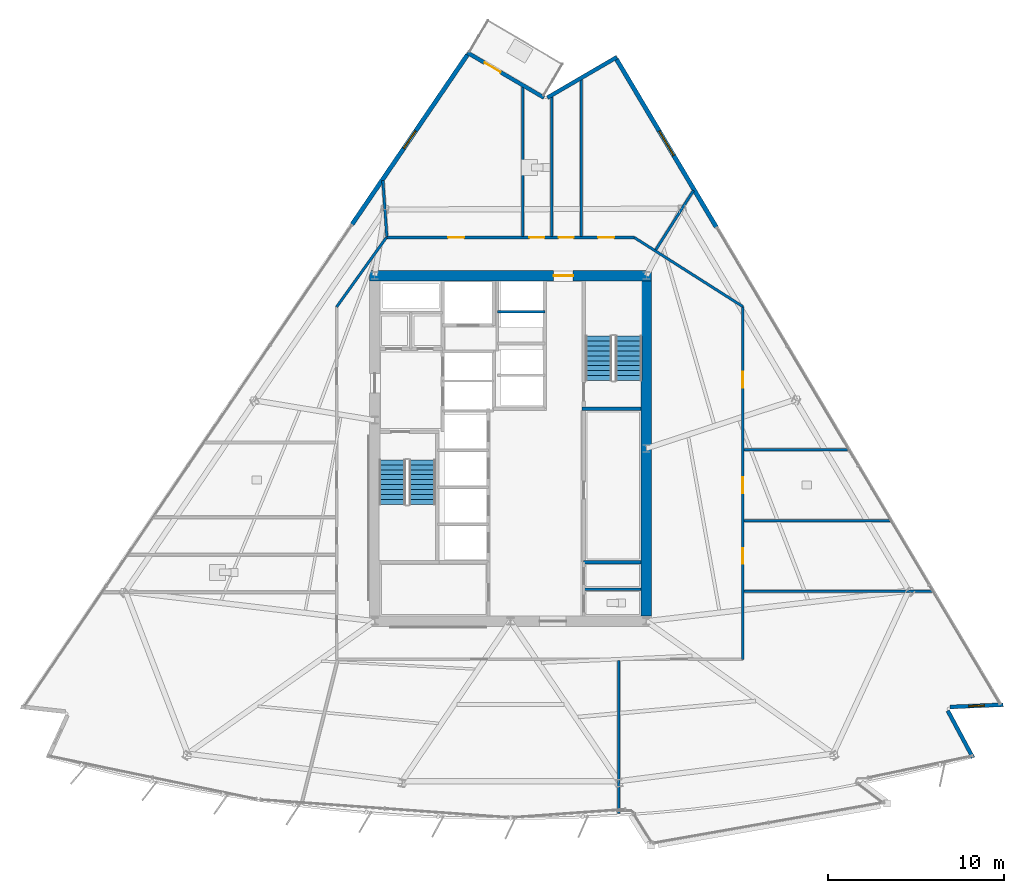
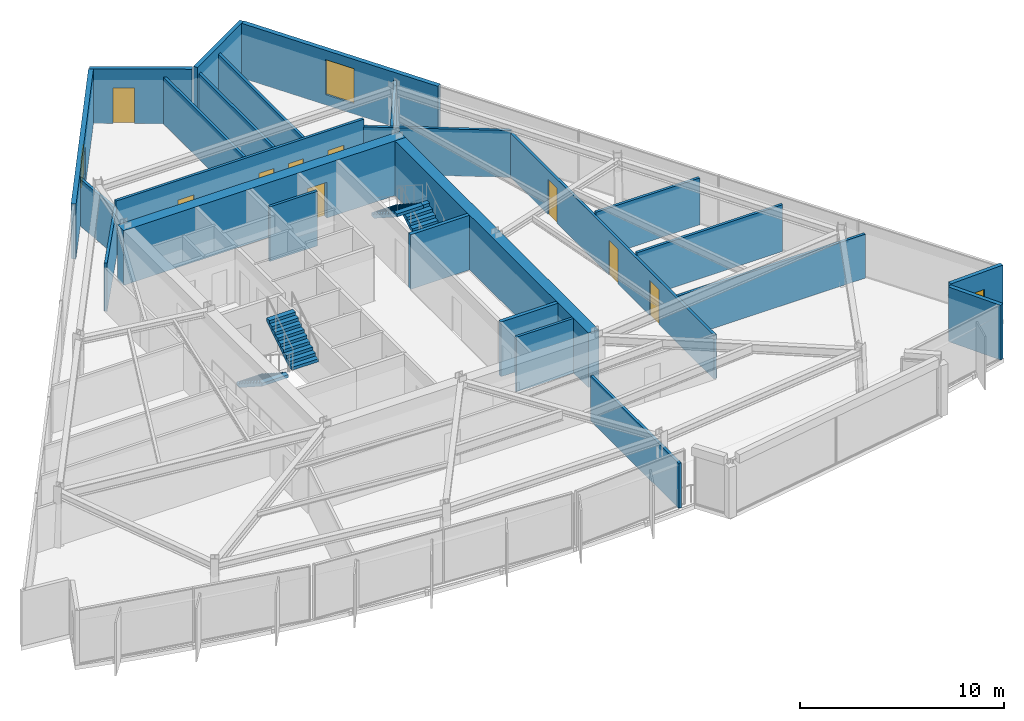
# One storey, part 9 of 15: 25 walls, 9 doors, 4 stair flights, 3 windows, 12 openings, 2 elements without a shape of their own.
"""IFC4 building model written with IfcOpenShell, lengths in metres."""

from ifc_helpers import new_model, si_unit, direction, frame, frame_2d, origin, place, context, subcontext, project, spatial, polyline, rectangle, outline, extrude, material, layer, layer_set, type_object, element, fill, aggregate, save


model = new_model("IFC4")

# Units and contexts
model_context = context("Model", 3, precision=1e-05, world=origin(), true_north=direction((0.0, 1.0)))
body_context = subcontext(model_context, "Body", "Model", "MODEL_VIEW")
ifc_project = project(units=[si_unit("LENGTHUNIT", "METRE"), si_unit("AREAUNIT", "SQUARE_METRE"), si_unit("VOLUMEUNIT", "CUBIC_METRE"), si_unit("PLANEANGLEUNIT", "RADIAN"), si_unit("MASSUNIT", "GRAM", prefix="KILO")], contexts=[model_context])

# Site, building, storey
site_placement = place(None, origin())
site = spatial("IfcSite", under=ifc_project, at=site_placement, CompositionType="ELEMENT")
building_placement = place(site_placement, origin())
building = spatial("IfcBuilding", under=site, at=building_placement, Name="Savorim Split Tower", CompositionType="ELEMENT")
storey_placement = place(building_placement, frame((0.0, 0.0, 125.699951171875)))
storey = spatial("IfcBuildingStorey", under=building, at=storey_placement, Name="L33", CompositionType="ELEMENT", Elevation=125.699951171875)

# Wall, opening, door
ifc_material_1 = material(Name="Concrete C60/75", Category="concrete")
ifc_layer_1 = layer(ifc_material_1, 0.60009765625)
ifc_layer_set_1 = layer_set([ifc_layer_1], Name="WAL-COR-SH600")
wall_type_1 = type_object("IfcWallType", Name="WAL-COR-SH600", PredefinedType="SHEAR", material=ifc_layer_set_1)
wall_1_placement = place(storey_placement, frame((8.0, 10.199951171875, 0.0), z_axis=(0.0, 0.0, 1.0), x_axis=(-1.0, 0.0, 0.0)))
wall_1 = element("IfcWall", 1, at=wall_1_placement, inside=storey, type_object=wall_type_1, Name="L33 Offset Core North Shear Wall", PredefinedType="SHEAR", context=body_context, shape_type="SweptSolid", body=[
    extrude(rectangle(XDim=16.0, YDim=0.60009765625, at=frame_2d((8.0, 0.0))), origin(), (0.0, 0.0, 1.0), 3.280029296875),
])
opening_1_placement = place(wall_1_placement, frame((4.449951171875, 0.0, 0.0)))
opening_1 = element("IfcOpeningElement", 2, at=opening_1_placement, cuts=wall_1, Name="Opening DI-03", PredefinedType="OPENING", context=body_context, shape_type="SweptSolid", body=[
    extrude(rectangle(XDim=1.10009765625, YDim=2.14990234375, at=frame_2d((0.550048828125, 1.074951171875))), frame((0.0, 0.31005859375, 0.0), z_axis=(0.0, -1.0, 0.0), x_axis=(1.0, 0.0, 0.0)), (0.0, 0.0, 1.0), 0.6201171875),
])
ifc_material_2 = material(Name="Timber Fire Door Leaf", Category="wood")
door_type_1 = type_object("IfcDoorType", Name="DOR-FIR-1100", OperationType="NOTDEFINED", PredefinedType="DOOR", material=ifc_material_2)
door_1_placement = place(opening_1_placement, origin())
door_1 = element("IfcDoor", 3, at=door_1_placement, inside=storey, type_object=door_type_1, Name="DOR-L33-COR-NLOB - L33 North Corridor Lobby Fire Door", OperationType="SINGLE_SWING_RIGHT", OverallHeight=2.14990234375, OverallWidth=1.10009765625, PredefinedType="DOOR", context=body_context, shape_type="SweptSolid", body=[
    extrude(rectangle(XDim=1.10009765625, YDim=2.14990234375, at=frame_2d((0.550048828125, 1.074951171875))), frame((0.0, 0.02490234375, 0.0), z_axis=(0.0, -1.0, 0.0), x_axis=(1.0, 0.0, 0.0)), (0.0, 0.0, 1.0), 0.050048828125),
])
fill(opening_1, door_1)

# Walls
wall_2_placement = place(storey_placement, frame((7.699951171875, 9.89990234375, 0.0), z_axis=(0.0, 0.0, 1.0), x_axis=(0.0, -1.0, 0.0)))
element("IfcWall", 4, at=wall_2_placement, inside=storey, type_object=wall_type_1, Name="L33 Offset Core East Shear Wall", PredefinedType="SHEAR", context=body_context, shape_type="SweptSolid", body=[
    extrude(rectangle(XDim=19.0, YDim=0.60009765625, at=frame_2d((9.5, 0.0))), origin(), (0.0, 0.0, 1.0), 3.280029296875),
])
ifc_material_3 = material(Name="Precast concrete C40/50", Category="concrete")
ifc_layer_2 = layer(ifc_material_3, 0.219970703125)
ifc_layer_set_2 = layer_set([ifc_layer_2], Name="WAL-EXT-CRN220")
wall_type_2 = type_object("IfcWallType", Name="WAL-EXT-CRN220", PredefinedType="SOLIDWALL", material=ifc_layer_set_2)
wall_3_placement = place(storey_placement, frame((24.79833984375, -14.477294921875, 0.0), z_axis=(0.0, 0.0, 1.0), x_axis=(0.472820757697, -0.881158629925, 0.0)))
element("IfcWall", 5, at=wall_3_placement, inside=storey, type_object=wall_type_2, Name="L33 Notched Corner Facade Wall SE1", PredefinedType="SOLIDWALL", context=body_context, shape_type="SweptSolid", body=[
    extrude(rectangle(XDim=3.02880859375, YDim=0.219970703125, at=frame_2d((1.514404296875, 0.0))), origin(), (0.0, 0.0, 1.0), 3.280029296875),
])

# Wall, opening, window
wall_4_placement = place(storey_placement, frame((27.943359375, -14.135009765625, 0.0), z_axis=(0.0, 0.0, 1.0), x_axis=(-0.999095621918, -0.042519857284, 0.0)))
wall_4 = element("IfcWall", 6, at=wall_4_placement, inside=storey, type_object=wall_type_2, Name="L33 Notched Corner Facade Wall SE", PredefinedType="SOLIDWALL", context=body_context, shape_type="SweptSolid", body=[
    extrude(rectangle(XDim=3.02587890625, YDim=0.219970703125, at=frame_2d((1.512939453125, 0.0))), origin(), (0.0, 0.0, 1.0), 3.280029296875),
])
opening_2_placement = place(wall_4_placement, frame((1.06298828125, 0.0, 0.6201171875)))
opening_2 = element("IfcOpeningElement", 7, at=opening_2_placement, cuts=wall_4, Name="Opening WN-10", PredefinedType="OPENING", context=body_context, shape_type="SweptSolid", body=[
    extrude(rectangle(XDim=0.89990234375, YDim=1.60009765625, at=frame_2d((0.449951171875, 0.800048828125))), frame((0.0, 0.119873046875, 0.0), z_axis=(0.0, -1.0, 0.0), x_axis=(1.0, 0.0, 0.0)), (0.0, 0.0, 1.0), 0.239990234375),
])
ifc_material_4 = material(Name="Low-E Operable Double Glazing", Category="glass")
window_type_1 = type_object("IfcWindowType", Name="WIN-TWR-900x1600", PartitioningType="SINGLE_PANEL", PredefinedType="WINDOW", material=ifc_material_4)
window_1_placement = place(opening_2_placement, origin())
window_1 = element("IfcWindow", 8, at=window_1_placement, inside=storey, type_object=window_type_1, Name="L33 Operable Corner Window SE", OverallHeight=1.60009765625, OverallWidth=0.89990234375, PartitioningType="SINGLE_PANEL", PredefinedType="WINDOW", context=body_context, shape_type="SweptSolid", body=[
    extrude(rectangle(XDim=0.89990234375, YDim=1.60009765625, at=frame_2d((0.449951171875, 0.800048828125))), frame((0.0, 0.030029296875, 0.0), z_axis=(0.0, -1.0, 0.0), x_axis=(1.0, 0.0, 0.0)), (0.0, 0.0, 1.0), 0.06005859375),
])
fill(opening_2, window_1)

# Wall
wall_5_placement = place(storey_placement, frame((2.090087890625, 20.290771484375, 0.0), z_axis=(0.0, 0.0, 1.0), x_axis=(0.863978647835, 0.503528446153, 0.0)))
element("IfcWall", 9, at=wall_5_placement, inside=storey, type_object=wall_type_2, Name="L33 Notched Corner Facade Wall NE1", PredefinedType="SOLIDWALL", context=body_context, shape_type="SweptSolid", body=[
    extrude(rectangle(XDim=4.564453125, YDim=0.219970703125, at=frame_2d((2.2822265625, 0.0))), origin(), (0.0, 0.0, 1.0), 3.280029296875),
])

# Wall, opening, door
wall_6_placement = place(storey_placement, frame((-2.447021484375, 22.845703125, 0.0), z_axis=(0.0, 0.0, 1.0), x_axis=(0.8621357974, -0.506677280763, 0.0)))
wall_6 = element("IfcWall", 10, at=wall_6_placement, inside=storey, type_object=wall_type_2, Name="L33 Notched Corner Facade Wall N", PredefinedType="SOLIDWALL", context=body_context, shape_type="SweptSolid", body=[
    extrude(rectangle(XDim=5.0419921875, YDim=0.219970703125, at=frame_2d((2.52099609375, 0.0))), origin(), (0.0, 0.0, 1.0), 3.280029296875),
])
opening_3_placement = place(wall_6_placement, frame((1.14599609375, 0.0, 0.0)))
opening_3 = element("IfcOpeningElement", 11, at=opening_3_placement, cuts=wall_6, Name="Opening DB-01", PredefinedType="OPENING", context=body_context, shape_type="SweptSolid", body=[
    extrude(rectangle(XDim=1.050048828125, YDim=2.14990234375, at=frame_2d((0.52490234375, 1.074951171875))), frame((0.0, 0.119873046875, 0.0), z_axis=(0.0, -1.0, 0.0), x_axis=(1.0, 0.0, 0.0)), (0.0, 0.0, 1.0), 0.239990234375),
])
ifc_material_5 = material(Name="Charcoal Anodised Aluminium", Category="aluminium")
door_type_2 = type_object("IfcDoorType", Name="DOR-BAL-1050", OperationType="NOTDEFINED", PredefinedType="DOOR", material=ifc_material_5)
door_2_placement = place(opening_3_placement, origin())
door_2 = element("IfcDoor", 12, at=door_2_placement, inside=storey, type_object=door_type_2, Name="DOR-L33-TBAL-N - L33 Planted Tree Balcony Door N", OperationType="SINGLE_SWING_RIGHT", OverallHeight=2.14990234375, OverallWidth=1.050048828125, PredefinedType="DOOR", context=body_context, shape_type="SweptSolid", body=[
    extrude(rectangle(XDim=1.050048828125, YDim=2.14990234375, at=frame_2d((0.52490234375, 1.074951171875))), frame((0.0, 0.02490234375, 0.0), z_axis=(0.0, -1.0, 0.0), x_axis=(1.0, 0.0, 0.0)), (0.0, 0.0, 1.0), 0.050048828125),
])
fill(opening_3, door_2)

# Wall, opening, window
ifc_layer_3 = layer(ifc_material_3, 0.25)
ifc_layer_set_3 = layer_set([ifc_layer_3], Name="WAL-EXT-SPN250")
wall_type_3 = type_object("IfcWallType", Name="WAL-EXT-SPN250", PredefinedType="SOLIDWALL", material=ifc_layer_set_3)
wall_7_placement = place(storey_placement, frame((6.01708984375, 22.46240234375, 0.0), z_axis=(0.0, 0.0, 1.0), x_axis=(0.511085523564, -0.859529864288, 0.0)))
wall_7 = element("IfcWall", 13, at=wall_7_placement, inside=storey, type_object=wall_type_3, Name="L33 East Operable Window Pier", PredefinedType="SOLIDWALL", context=body_context, shape_type="SweptSolid", body=[
    extrude(rectangle(XDim=11.067626953125, YDim=0.25, at=frame_2d((5.53369140625, 0.0))), origin(), (0.0, 0.0, 1.0), 3.280029296875),
])
opening_4_placement = place(wall_7_placement, frame((4.73388671875, 0.0, 0.6201171875)))
opening_4 = element("IfcOpeningElement", 14, at=opening_4_placement, cuts=wall_7, Name="Opening WN-05", PredefinedType="OPENING", context=body_context, shape_type="SweptSolid", body=[
    extrude(rectangle(XDim=1.60009765625, YDim=2.10009765625, at=frame_2d((0.800048828125, 1.050048828125))), frame((0.0, 0.135009765625, 0.0), z_axis=(0.0, -1.0, 0.0), x_axis=(1.0, 0.0, 0.0)), (0.0, 0.0, 1.0), 0.27001953125),
])
window_type_2 = type_object("IfcWindowType", Name="WIN-TWR-1600x2100", PartitioningType="DOUBLE_PANEL_VERTICAL", PredefinedType="WINDOW", material=ifc_material_4)
window_2_placement = place(opening_4_placement, origin())
window_2 = element("IfcWindow", 15, at=window_2_placement, inside=storey, type_object=window_type_2, Name="L33 East Operable Ventilation Window", OverallHeight=2.10009765625, OverallWidth=1.60009765625, PartitioningType="SINGLE_PANEL", PredefinedType="WINDOW", context=body_context, shape_type="SweptSolid", body=[
    extrude(rectangle(XDim=1.60009765625, YDim=2.10009765625, at=frame_2d((0.800048828125, 1.050048828125))), frame((0.0, 0.030029296875, 0.0), z_axis=(0.0, -1.0, 0.0), x_axis=(1.0, 0.0, 0.0)), (0.0, 0.0, 1.0), 0.06005859375),
])
fill(opening_4, window_2)

wall_8_placement = place(storey_placement, frame((-8.98388671875, 13.1083984375, 0.0), z_axis=(0.0, 0.0, 1.0), x_axis=(0.562459365703, 0.826824928225, 0.0)))
wall_8 = element("IfcWall", 16, at=wall_8_placement, inside=storey, type_object=wall_type_3, Name="L33 West Operable Window Pier", PredefinedType="SOLIDWALL", context=body_context, shape_type="SweptSolid", body=[
    extrude(rectangle(XDim=11.625, YDim=0.25, at=frame_2d((5.8125, 0.0))), origin(), (0.0, 0.0, 1.0), 3.280029296875),
])
opening_5_placement = place(wall_8_placement, frame((5.21240234375, 0.0, 0.6201171875)))
opening_5 = element("IfcOpeningElement", 17, at=opening_5_placement, cuts=wall_8, Name="Opening WN-08", PredefinedType="OPENING", context=body_context, shape_type="SweptSolid", body=[
    extrude(rectangle(XDim=1.199951171875, YDim=1.800048828125, at=frame_2d((0.60009765625, 0.89990234375))), frame((0.0, 0.135009765625, 0.0), z_axis=(0.0, -1.0, 0.0), x_axis=(1.0, 0.0, 0.0)), (0.0, 0.0, 1.0), 0.27001953125),
])
window_type_3 = type_object("IfcWindowType", Name="WIN-TWR-1200x1800", PartitioningType="SINGLE_PANEL", PredefinedType="WINDOW", material=ifc_material_4)
window_3_placement = place(opening_5_placement, origin())
window_3 = element("IfcWindow", 18, at=window_3_placement, inside=storey, type_object=window_type_3, Name="L33 West Operable Ventilation Window", OverallHeight=1.800048828125, OverallWidth=1.199951171875, PartitioningType="SINGLE_PANEL", PredefinedType="WINDOW", context=body_context, shape_type="SweptSolid", body=[
    extrude(rectangle(XDim=1.199951171875, YDim=1.800048828125, at=frame_2d((0.60009765625, 0.89990234375))), frame((0.0, 0.030029296875, 0.0), z_axis=(0.0, -1.0, 0.0), x_axis=(1.0, 0.0, 0.0)), (0.0, 0.0, 1.0), 0.06005859375),
])
fill(opening_5, window_3)

# Walls
ifc_material_6 = material(Name="Concrete C50/60", Category="concrete")
ifc_layer_4 = layer(ifc_material_6, 0.199951171875)
ifc_layer_set_4 = layer_set([ifc_layer_4], Name="WAL-INT-RC200")
wall_type_4 = type_object("IfcWallType", Name="WAL-INT-RC200", PredefinedType="SOLIDWALL", material=ifc_layer_set_4)
wall_9_placement = place(storey_placement, frame((4.050048828125, 2.64990234375, 0.0), z_axis=(0.0, 0.0, 1.0), x_axis=(1.0, 0.0, 0.0)))
element("IfcWall", 19, at=wall_9_placement, inside=storey, type_object=wall_type_4, Name="L33 Structural Shaft Wall W-L33-CR08", PredefinedType="SOLIDWALL", context=body_context, shape_type="SweptSolid", body=[
    extrude(rectangle(XDim=3.349853515625, YDim=0.199951171875, at=frame_2d((1.6748046875, 0.0))), origin(), (0.0, 0.0, 1.0), 3.280029296875),
])
wall_10_placement = place(storey_placement, frame((4.14990234375, -6.050048828125, 0.0), z_axis=(0.0, 0.0, 1.0), x_axis=(1.0, 0.0, 0.0)))
element("IfcWall", 20, at=wall_10_placement, inside=storey, type_object=wall_type_4, Name="L33 Partition W-L33-KSEP-E", PredefinedType="SOLIDWALL", context=body_context, shape_type="SweptSolid", body=[
    extrude(rectangle(XDim=3.2451171875, YDim=0.199951171875, at=frame_2d((1.62255859375, 0.0))), origin(), (0.0, 0.0, 1.0), 3.280029296875),
])
ifc_material_7 = material(Name="Acoustic Gypsum Partition Board")
ifc_layer_5 = layer(ifc_material_7, 0.14990234375)
ifc_layer_set_5 = layer_set([ifc_layer_5], Name="WAL-PAR-150")
wall_type_5 = type_object("IfcWallType", Name="WAL-PAR-150", PredefinedType="PARTITIONING", material=ifc_layer_set_5)
wall_11_placement = place(storey_placement, frame((-0.75, 8.14990234375, 0.0), z_axis=(0.0, 0.0, 1.0), x_axis=(1.0, 0.0, 0.0)))
element("IfcWall", 21, at=wall_11_placement, inside=storey, type_object=wall_type_5, Name="L33 Partition W-L33-B3DIV3", PredefinedType="PARTITIONING", context=body_context, shape_type="SweptSolid", body=[
    extrude(rectangle(XDim=2.699951171875, YDim=0.14990234375, at=frame_2d((1.35009765625, 0.0))), origin(), (0.0, 0.0, 1.0), 3.280029296875),
])
wall_12_placement = place(storey_placement, frame((4.14990234375, -7.580078125, 0.0), z_axis=(0.0, 0.0, 1.0), x_axis=(1.0, 0.0, 0.0)))
element("IfcWall", 22, at=wall_12_placement, inside=storey, type_object=wall_type_5, Name="L33 Partition W-L33-K3H", PredefinedType="PARTITIONING", context=body_context, shape_type="SweptSolid", body=[
    extrude(rectangle(XDim=3.2451171875, YDim=0.14990234375, at=frame_2d((1.62255859375, 0.0))), origin(), (0.0, 0.0, 1.0), 3.280029296875),
])
wall_13_placement = place(storey_placement, frame((-9.860107421875, 8.42578125, 0.0), z_axis=(0.0, 0.0, 1.0), x_axis=(0.582449511476, 0.812866881218, 0.0)))
element("IfcWall", 23, at=wall_13_placement, inside=storey, type_object=wall_type_5, Name="L33 Partition W-L33-COR-02", PredefinedType="PARTITIONING", context=body_context, shape_type="SweptSolid", body=[
    extrude(rectangle(XDim=4.840087890625, YDim=0.14990234375, at=frame_2d((2.419921875, 0.0))), origin(), (0.0, 0.0, 1.0), 2.89501953125),
])

# Wall, openings, doors
wall_14_placement = place(storey_placement, frame((-7.041015625, 12.360107421875, 0.0), z_axis=(0.0, 0.0, 1.0), x_axis=(1.0, 0.0, 0.0)))
wall_14 = element("IfcWall", 24, at=wall_14_placement, inside=storey, type_object=wall_type_5, Name="L33 Partition W-L33-COR-03", PredefinedType="PARTITIONING", context=body_context, shape_type="SweptSolid", body=[
    extrude(rectangle(XDim=14.064208984375, YDim=0.14990234375, at=frame_2d((7.0322265625, 0.0))), origin(), (0.0, 0.0, 1.0), 3.280029296875),
])
opening_6_placement = place(wall_14_placement, frame((12.015625, 0.0, 0.0)))
opening_6 = element("IfcOpeningElement", 25, at=opening_6_placement, cuts=wall_14, Name="Opening DI-06", PredefinedType="OPENING", context=body_context, shape_type="SweptSolid", body=[
    extrude(rectangle(XDim=0.89990234375, YDim=2.10009765625, at=frame_2d((0.449951171875, 1.050048828125))), frame((0.0, 0.0849609375, 0.0), z_axis=(0.0, -1.0, 0.0), x_axis=(1.0, 0.0, 0.0)), (0.0, 0.0, 1.0), 0.169921875),
])
opening_7_placement = place(wall_14_placement, frame((9.767333984375, 0.0, 0.0)))
opening_7 = element("IfcOpeningElement", 26, at=opening_7_placement, cuts=wall_14, Name="Opening DI-13", PredefinedType="OPENING", context=body_context, shape_type="SweptSolid", body=[
    extrude(rectangle(XDim=0.85009765625, YDim=2.10009765625, at=frame_2d((0.425048828125, 1.050048828125))), frame((0.0, 0.0849609375, 0.0), z_axis=(0.0, -1.0, 0.0), x_axis=(1.0, 0.0, 0.0)), (0.0, 0.0, 1.0), 0.169921875),
])
opening_8_placement = place(wall_14_placement, frame((8.112060546875, 0.0, 0.0)))
opening_8 = element("IfcOpeningElement", 27, at=opening_8_placement, cuts=wall_14, Name="Opening DI-13", PredefinedType="OPENING", context=body_context, shape_type="SweptSolid", body=[
    extrude(rectangle(XDim=0.85009765625, YDim=2.10009765625, at=frame_2d((0.425048828125, 1.050048828125))), frame((0.0, 0.0849609375, 0.0), z_axis=(0.0, -1.0, 0.0), x_axis=(1.0, 0.0, 0.0)), (0.0, 0.0, 1.0), 0.169921875),
])
opening_9_placement = place(wall_14_placement, frame((3.50634765625, 0.0, 0.0)))
opening_9 = element("IfcOpeningElement", 28, at=opening_9_placement, cuts=wall_14, Name="Opening DI-06", PredefinedType="OPENING", context=body_context, shape_type="SweptSolid", body=[
    extrude(rectangle(XDim=0.89990234375, YDim=2.10009765625, at=frame_2d((0.449951171875, 1.050048828125))), frame((0.0, 0.0849609375, 0.0), z_axis=(0.0, -1.0, 0.0), x_axis=(1.0, 0.0, 0.0)), (0.0, 0.0, 1.0), 0.169921875),
])
door_type_3 = type_object("IfcDoorType", Name="DOR-FIR-850", OperationType="NOTDEFINED", PredefinedType="DOOR", material=ifc_material_2)
door_3_placement = place(opening_7_placement, origin())
door_3 = element("IfcDoor", 29, at=door_3_placement, inside=storey, type_object=door_type_3, Name="DR-L33-RM11 - L33 Quiet Study Room Entry Door", OperationType="SINGLE_SWING_RIGHT", OverallHeight=2.10009765625, OverallWidth=0.85009765625, PredefinedType="DOOR", context=body_context, shape_type="SweptSolid", body=[
    extrude(rectangle(XDim=0.85009765625, YDim=2.10009765625, at=frame_2d((0.425048828125, 1.050048828125))), frame((0.0, 0.02490234375, 0.0), z_axis=(0.0, -1.0, 0.0), x_axis=(1.0, 0.0, 0.0)), (0.0, 0.0, 1.0), 0.050048828125),
])
fill(opening_7, door_3)
door_4_placement = place(opening_8_placement, origin())
door_4 = element("IfcDoor", 30, at=door_4_placement, inside=storey, type_object=door_type_3, Name="DR-L33-RM12 - L33 Shared Bathroom Entry Door", OperationType="SINGLE_SWING_LEFT", OverallHeight=2.10009765625, OverallWidth=0.85009765625, PredefinedType="DOOR", context=body_context, shape_type="SweptSolid", body=[
    extrude(rectangle(XDim=0.85009765625, YDim=2.10009765625, at=frame_2d((0.425048828125, 1.050048828125))), frame((0.0, 0.02490234375, 0.0), z_axis=(0.0, -1.0, 0.0), x_axis=(1.0, 0.0, 0.0)), (0.0, 0.0, 1.0), 0.050048828125),
])
fill(opening_8, door_4)
door_type_4 = type_object("IfcDoorType", Name="DOR-FIR-900", OperationType="NOTDEFINED", PredefinedType="DOOR", material=ifc_material_2)
door_5_placement = place(opening_6_placement, origin())
door_5 = element("IfcDoor", 31, at=door_5_placement, inside=storey, type_object=door_type_4, Name="DR-L33-RM10 - L33 Maker Workshop Entry Door", OperationType="SINGLE_SWING_LEFT", OverallHeight=2.10009765625, OverallWidth=0.89990234375, PredefinedType="DOOR", context=body_context, shape_type="SweptSolid", body=[
    extrude(rectangle(XDim=0.89990234375, YDim=2.10009765625, at=frame_2d((0.449951171875, 1.050048828125))), frame((0.0, 0.02490234375, 0.0), z_axis=(0.0, -1.0, 0.0), x_axis=(1.0, 0.0, 0.0)), (0.0, 0.0, 1.0), 0.050048828125),
])
fill(opening_6, door_5)
door_6_placement = place(opening_9_placement, origin())
door_6 = element("IfcDoor", 32, at=door_6_placement, inside=storey, type_object=door_type_4, Name="DR-L33-RM13 - L33 Co-Working Commons Entry Door", OperationType="SINGLE_SWING_RIGHT", OverallHeight=2.10009765625, OverallWidth=0.89990234375, PredefinedType="DOOR", context=body_context, shape_type="SweptSolid", body=[
    extrude(rectangle(XDim=0.89990234375, YDim=2.10009765625, at=frame_2d((0.449951171875, 1.050048828125))), frame((0.0, 0.02490234375, 0.0), z_axis=(0.0, -1.0, 0.0), x_axis=(1.0, 0.0, 0.0)), (0.0, 0.0, 1.0), 0.050048828125),
])
fill(opening_9, door_6)

# Wall
wall_15_placement = place(storey_placement, frame((7.023193359375, 12.360107421875, 0.0), z_axis=(0.0, 0.0, 1.0), x_axis=(0.84376480085, -0.536713108511, 0.0)))
element("IfcWall", 33, at=wall_15_placement, inside=storey, type_object=wall_type_5, Name="L33 Partition W-L33-COR-04", PredefinedType="PARTITIONING", context=body_context, shape_type="SweptSolid", body=[
    extrude(rectangle(XDim=7.296630859375, YDim=0.14990234375, at=frame_2d((3.6484375, 0.0))), origin(), (0.0, 0.0, 1.0), 2.81494140625),
])

# Wall, openings, doors
wall_16_placement = place(storey_placement, frame((13.179931640625, 8.44384765625, 0.0), z_axis=(0.0, 0.0, 1.0), x_axis=(0.0, -1.0, 0.0)))
wall_16 = element("IfcWall", 34, at=wall_16_placement, inside=storey, type_object=wall_type_5, Name="L33 Partition W-L33-COR-05", PredefinedType="PARTITIONING", context=body_context, shape_type="SweptSolid", body=[
    extrude(rectangle(XDim=20.00390625, YDim=0.14990234375, at=frame_2d((10.001953125, 0.0))), origin(), (0.0, 0.0, 1.0), 2.635009765625),
])
opening_10_placement = place(wall_16_placement, frame((13.6923828125, 0.0, 0.0)))
opening_10 = element("IfcOpeningElement", 35, at=opening_10_placement, cuts=wall_16, Name="Opening DI-06", PredefinedType="OPENING", context=body_context, shape_type="SweptSolid", body=[
    extrude(rectangle(XDim=0.89990234375, YDim=2.10009765625, at=frame_2d((0.449951171875, 1.050048828125))), frame((0.0, 0.0849609375, 0.0), z_axis=(0.0, -1.0, 0.0), x_axis=(1.0, 0.0, 0.0)), (0.0, 0.0, 1.0), 0.169921875),
])
opening_11_placement = place(wall_16_placement, frame((9.68017578125, 0.0, 0.0)))
opening_11 = element("IfcOpeningElement", 36, at=opening_11_placement, cuts=wall_16, Name="Opening DI-06", PredefinedType="OPENING", context=body_context, shape_type="SweptSolid", body=[
    extrude(rectangle(XDim=0.89990234375, YDim=2.10009765625, at=frame_2d((0.449951171875, 1.050048828125))), frame((0.0, 0.0849609375, 0.0), z_axis=(0.0, -1.0, 0.0), x_axis=(1.0, 0.0, 0.0)), (0.0, 0.0, 1.0), 0.169921875),
])
opening_12_placement = place(wall_16_placement, frame((3.701171875, 0.0, 0.0)))
opening_12 = element("IfcOpeningElement", 37, at=opening_12_placement, cuts=wall_16, Name="Opening DI-06", PredefinedType="OPENING", context=body_context, shape_type="SweptSolid", body=[
    extrude(rectangle(XDim=0.89990234375, YDim=2.10009765625, at=frame_2d((0.449951171875, 1.050048828125))), frame((0.0, 0.0849609375, 0.0), z_axis=(0.0, -1.0, 0.0), x_axis=(1.0, 0.0, 0.0)), (0.0, 0.0, 1.0), 0.169921875),
])
door_7_placement = place(opening_10_placement, origin())
door_7 = element("IfcDoor", 38, at=door_7_placement, inside=storey, type_object=door_type_4, Name="DR-L33-RM07 - L33 Communal Lounge Entry Door", OperationType="SINGLE_SWING_RIGHT", OverallHeight=2.10009765625, OverallWidth=0.89990234375, PredefinedType="DOOR", context=body_context, shape_type="SweptSolid", body=[
    extrude(rectangle(XDim=0.89990234375, YDim=2.10009765625, at=frame_2d((0.449951171875, 1.050048828125))), frame((0.0, 0.02490234375, 0.0), z_axis=(0.0, -1.0, 0.0), x_axis=(1.0, 0.0, 0.0)), (0.0, 0.0, 1.0), 0.050048828125),
])
fill(opening_10, door_7)
door_8_placement = place(opening_11_placement, origin())
door_8 = element("IfcDoor", 39, at=door_8_placement, inside=storey, type_object=door_type_4, Name="DR-L33-RM08 - L33 Community Laundry Room Entry Door", OperationType="SINGLE_SWING_LEFT", OverallHeight=2.10009765625, OverallWidth=0.89990234375, PredefinedType="DOOR", context=body_context, shape_type="SweptSolid", body=[
    extrude(rectangle(XDim=0.89990234375, YDim=2.10009765625, at=frame_2d((0.449951171875, 1.050048828125))), frame((0.0, 0.02490234375, 0.0), z_axis=(0.0, -1.0, 0.0), x_axis=(1.0, 0.0, 0.0)), (0.0, 0.0, 1.0), 0.050048828125),
])
fill(opening_11, door_8)
door_9_placement = place(opening_12_placement, origin())
door_9 = element("IfcDoor", 40, at=door_9_placement, inside=storey, type_object=door_type_4, Name="DR-L33-RM09 - L33 Co-Working Commons Entry Door", OperationType="SINGLE_SWING_RIGHT", OverallHeight=2.10009765625, OverallWidth=0.89990234375, PredefinedType="DOOR", context=body_context, shape_type="SweptSolid", body=[
    extrude(rectangle(XDim=0.89990234375, YDim=2.10009765625, at=frame_2d((0.449951171875, 1.050048828125))), frame((0.0, 0.02490234375, 0.0), z_axis=(0.0, -1.0, 0.0), x_axis=(1.0, 0.0, 0.0)), (0.0, 0.0, 1.0), 0.050048828125),
])
fill(opening_12, door_9)

# Walls
wall_17_placement = place(storey_placement, frame((6.147216796875, -11.6201171875, 0.0), z_axis=(0.0, 0.0, 1.0), x_axis=(0.0, -1.0, 0.0)))
element("IfcWall", 41, at=wall_17_placement, inside=storey, type_object=wall_type_5, Name="L33 Partition W-L33-PRAD03", PredefinedType="PARTITIONING", context=body_context, shape_type="SweptSolid", body=[
    extrude(rectangle(XDim=8.672119140625, YDim=0.14990234375, at=frame_2d((4.3359375, 0.0))), origin(), (0.0, 0.0, 1.0), 2.705078125),
])
wall_18_placement = place(storey_placement, frame((13.239990234375, -7.70458984375, 0.0), z_axis=(0.0, 0.0, 1.0), x_axis=(1.0, 0.0, 0.0)))
element("IfcWall", 42, at=wall_18_placement, inside=storey, type_object=wall_type_5, Name="L33 Partition W-L33-PRAD05", PredefinedType="PARTITIONING", context=body_context, shape_type="SweptSolid", body=[
    extrude(rectangle(XDim=10.65673828125, YDim=0.14990234375, at=frame_2d((5.328369140625, 0.0))), origin(), (0.0, 0.0, 1.0), 2.635009765625),
])
wall_19_placement = place(storey_placement, frame((8.23583984375, 11.659912109375, 0.0), z_axis=(0.0, 0.0, 1.0), x_axis=(0.536709317905, 0.843767212017, 0.0)))
element("IfcWall", 43, at=wall_19_placement, inside=storey, type_object=wall_type_5, Name="L33 Partition W-L33-PRAD07", PredefinedType="PARTITIONING", context=body_context, shape_type="SweptSolid", body=[
    extrude(rectangle(XDim=3.992919921875, YDim=0.14990234375, at=frame_2d((1.99658203125, 0.0))), origin(), (0.0, 0.0, 1.0), 2.81494140625),
])
wall_20_placement = place(storey_placement, frame((-7.01318359375, 12.419189453125, 0.0), z_axis=(0.0, 0.0, 1.0), x_axis=(-0.070149488987, 0.997536490157, 0.0)))
element("IfcWall", 44, at=wall_20_placement, inside=storey, type_object=wall_type_5, Name="L33 Partition W-L33-PRAD08", PredefinedType="PARTITIONING", context=body_context, shape_type="SweptSolid", body=[
    extrude(rectangle(XDim=3.177490234375, YDim=0.14990234375, at=frame_2d((1.5888671875, 0.0))), origin(), (0.0, 0.0, 1.0), 2.81494140625),
])
wall_21_placement = place(storey_placement, frame((0.693359375, 12.419921875, 0.0), z_axis=(0.0, 0.0, 1.0), x_axis=(0.0, 1.0, 0.0)))
element("IfcWall", 45, at=wall_21_placement, inside=storey, type_object=wall_type_5, Name="L33 Partition W-L33-SUB01", PredefinedType="PARTITIONING", context=body_context, shape_type="SweptSolid", body=[
    extrude(rectangle(XDim=8.522216796875, YDim=0.14990234375, at=frame_2d((4.26123046875, 0.0))), origin(), (0.0, 0.0, 1.0), 2.81494140625),
])
wall_22_placement = place(storey_placement, frame((13.239990234375, 0.31982421875, 0.0), z_axis=(0.0, 0.0, 1.0), x_axis=(1.0, 0.0, 0.0)))
element("IfcWall", 46, at=wall_22_placement, inside=storey, type_object=wall_type_5, Name="L33 Partition W-L33-SUB04", PredefinedType="PARTITIONING", context=body_context, shape_type="SweptSolid", body=[
    extrude(rectangle(XDim=5.88525390625, YDim=0.14990234375, at=frame_2d((2.942626953125, 0.0))), origin(), (0.0, 0.0, 1.0), 2.804931640625),
])
wall_23_placement = place(storey_placement, frame((4.00390625, 12.419921875, 0.0), z_axis=(0.0, 0.0, 1.0), x_axis=(0.0, 1.0, 0.0)))
element("IfcWall", 47, at=wall_23_placement, inside=storey, type_object=wall_type_5, Name="L33 Partition W-L33-SUB05", PredefinedType="PARTITIONING", context=body_context, shape_type="SweptSolid", body=[
    extrude(rectangle(XDim=8.92822265625, YDim=0.14990234375, at=frame_2d((4.464111328125, 0.0))), origin(), (0.0, 0.0, 1.0), 2.81494140625),
])
wall_24_placement = place(storey_placement, frame((2.3486328125, 12.419921875, 0.0), z_axis=(0.0, 0.0, 1.0), x_axis=(0.0, 1.0, 0.0)))
element("IfcWall", 48, at=wall_24_placement, inside=storey, type_object=wall_type_5, Name="L33 Partition W-L33-SUB06", PredefinedType="PARTITIONING", context=body_context, shape_type="SweptSolid", body=[
    extrude(rectangle(XDim=7.96337890625, YDim=0.14990234375, at=frame_2d((3.981689453125, 0.0))), origin(), (0.0, 0.0, 1.0), 2.81494140625),
])
wall_25_placement = place(storey_placement, frame((13.239990234375, -3.6923828125, 0.0), z_axis=(0.0, 0.0, 1.0), x_axis=(1.0, 0.0, 0.0)))
element("IfcWall", 49, at=wall_25_placement, inside=storey, type_object=wall_type_5, Name="L33 Partition W-L33-SUB07", PredefinedType="PARTITIONING", context=body_context, shape_type="SweptSolid", body=[
    extrude(rectangle(XDim=8.27099609375, YDim=0.14990234375, at=frame_2d((4.135498046875, 0.0))), origin(), (0.0, 0.0, 1.0), 2.804931640625),
])

# Stair, stair flights
stair_type = type_object("IfcStairType", Name="STR-DOG-3600", PredefinedType="HALF_TURN_STAIR", material=ifc_material_6)
stair_1_placement = place(storey_placement, origin())
stair_1 = element("IfcStair", 50, at=stair_1_placement, inside=storey, type_object=stair_type, Name="L33 Core Protected Exit Stair ST-1", PredefinedType="HALF_TURN_STAIR")
stair_flight_type = type_object("IfcStairFlightType", Name="SFL-DOG-3600", PredefinedType="STRAIGHT", material=ifc_material_6)
stair_flight_1_placement = place(storey_placement, frame((-6.699951171875, -0.25, 0.0), z_axis=(0.0, 0.0, 1.0), x_axis=(0.0, -1.0, 0.0)))
stair_flight_1 = element("IfcStairFlight", 51, at=stair_flight_1_placement, type_object=stair_flight_type, Name="ST-1 flight 1", NumberOfRisers=10, NumberOfTreads=9, PredefinedType="STRAIGHT", RiserHeight=0.18, TreadLength=0.28, context=body_context, shape_type="SweptSolid", body=[
    extrude(outline(polyline([(0.0, 0.0), (0.0, 0.179931640625), (0.280029296875, 0.179931640625), (0.280029296875, 0.360107421875), (0.56005859375, 0.360107421875), (0.56005859375, 0.5400390625), (0.840087890625, 0.5400390625), (0.840087890625, 0.719970703125), (1.1201171875, 0.719970703125), (1.1201171875, 0.89990234375), (1.39990234375, 0.89990234375), (1.39990234375, 1.080078125), (1.679931640625, 1.080078125), (1.679931640625, 1.260009765625), (1.9599609375, 1.260009765625), (1.9599609375, 1.43994140625), (2.239990234375, 1.43994140625), (2.239990234375, 1.6201171875), (2.52001953125, 1.6201171875), (2.52001953125, 1.800048828125), (2.52001953125, 1.44189453125), (0.277099609375, 0.0), (0.0, 0.0)])), frame((0.0, 0.75, 0.0), z_axis=(0.0, -1.0, 0.0), x_axis=(1.0, 0.0, 0.0)), (0.0, 0.0, 1.0), 1.5),
])
stair_flight_2_placement = place(storey_placement, frame((-5.0, -2.77001953125, 1.800048828125), z_axis=(0.0, 0.0, 1.0), x_axis=(0.0, 1.0, 0.0)))
stair_flight_2 = element("IfcStairFlight", 52, at=stair_flight_2_placement, type_object=stair_flight_type, Name="ST-1 flight 2", NumberOfRisers=10, NumberOfTreads=9, PredefinedType="STRAIGHT", RiserHeight=0.18, TreadLength=0.28, context=body_context, shape_type="SweptSolid", body=[
    extrude(outline(polyline([(0.0, 0.0), (0.0, 0.179931640625), (0.280029296875, 0.179931640625), (0.280029296875, 0.360107421875), (0.56005859375, 0.360107421875), (0.56005859375, 0.5400390625), (0.840087890625, 0.5400390625), (0.840087890625, 0.719970703125), (1.1201171875, 0.719970703125), (1.1201171875, 0.89990234375), (1.39990234375, 0.89990234375), (1.39990234375, 1.080078125), (1.679931640625, 1.080078125), (1.679931640625, 1.260009765625), (1.9599609375, 1.260009765625), (1.9599609375, 1.43994140625), (2.239990234375, 1.43994140625), (2.239990234375, 1.6201171875), (2.52001953125, 1.6201171875), (2.52001953125, 1.800048828125), (2.52001953125, 1.44189453125), (0.277099609375, 0.0), (0.0, 0.0)])), frame((0.0, 0.75, 0.0), z_axis=(0.0, -1.0, 0.0), x_axis=(1.0, 0.0, 0.0)), (0.0, 0.0, 1.0), 1.5),
])
aggregate(stair_1, [stair_flight_1, stair_flight_2])

stair_2_placement = place(storey_placement, origin())
stair_2 = element("IfcStair", 53, at=stair_2_placement, inside=storey, type_object=stair_type, Name="L33 Core Protected Exit Stair ST-2", PredefinedType="HALF_TURN_STAIR")
stair_flight_3_placement = place(storey_placement, frame((6.699951171875, 4.25, 0.0), z_axis=(0.0, 0.0, 1.0), x_axis=(0.0, 1.0, 0.0)))
stair_flight_3 = element("IfcStairFlight", 54, at=stair_flight_3_placement, type_object=stair_flight_type, Name="ST-2 flight 1", NumberOfRisers=10, NumberOfTreads=9, PredefinedType="STRAIGHT", RiserHeight=0.18, TreadLength=0.28, context=body_context, shape_type="SweptSolid", body=[
    extrude(outline(polyline([(0.0, 0.0), (0.0, 0.179931640625), (0.280029296875, 0.179931640625), (0.280029296875, 0.360107421875), (0.56005859375, 0.360107421875), (0.56005859375, 0.5400390625), (0.840087890625, 0.5400390625), (0.840087890625, 0.719970703125), (1.1201171875, 0.719970703125), (1.1201171875, 0.89990234375), (1.39990234375, 0.89990234375), (1.39990234375, 1.080078125), (1.679931640625, 1.080078125), (1.679931640625, 1.260009765625), (1.9599609375, 1.260009765625), (1.9599609375, 1.43994140625), (2.239990234375, 1.43994140625), (2.239990234375, 1.6201171875), (2.52001953125, 1.6201171875), (2.52001953125, 1.800048828125), (2.52001953125, 1.44189453125), (0.277099609375, 0.0), (0.0, 0.0)])), frame((0.0, 0.75, 0.0), z_axis=(0.0, -1.0, 0.0), x_axis=(1.0, 0.0, 0.0)), (0.0, 0.0, 1.0), 1.5),
])
stair_flight_4_placement = place(storey_placement, frame((5.0, 6.77001953125, 1.800048828125), z_axis=(0.0, 0.0, 1.0), x_axis=(0.0, -1.0, 0.0)))
stair_flight_4 = element("IfcStairFlight", 55, at=stair_flight_4_placement, type_object=stair_flight_type, Name="ST-2 flight 2", NumberOfRisers=10, NumberOfTreads=9, PredefinedType="STRAIGHT", RiserHeight=0.18, TreadLength=0.28, context=body_context, shape_type="SweptSolid", body=[
    extrude(outline(polyline([(0.0, 0.0), (0.0, 0.179931640625), (0.280029296875, 0.179931640625), (0.280029296875, 0.360107421875), (0.56005859375, 0.360107421875), (0.56005859375, 0.5400390625), (0.840087890625, 0.5400390625), (0.840087890625, 0.719970703125), (1.1201171875, 0.719970703125), (1.1201171875, 0.89990234375), (1.39990234375, 0.89990234375), (1.39990234375, 1.080078125), (1.679931640625, 1.080078125), (1.679931640625, 1.260009765625), (1.9599609375, 1.260009765625), (1.9599609375, 1.43994140625), (2.239990234375, 1.43994140625), (2.239990234375, 1.6201171875), (2.52001953125, 1.6201171875), (2.52001953125, 1.800048828125), (2.52001953125, 1.44189453125), (0.277099609375, 0.0), (0.0, 0.0)])), frame((0.0, 0.75, 0.0), z_axis=(0.0, -1.0, 0.0), x_axis=(1.0, 0.0, 0.0)), (0.0, 0.0, 1.0), 1.5),
])
aggregate(stair_2, [stair_flight_3, stair_flight_4])

save(model, "model.ifc")
